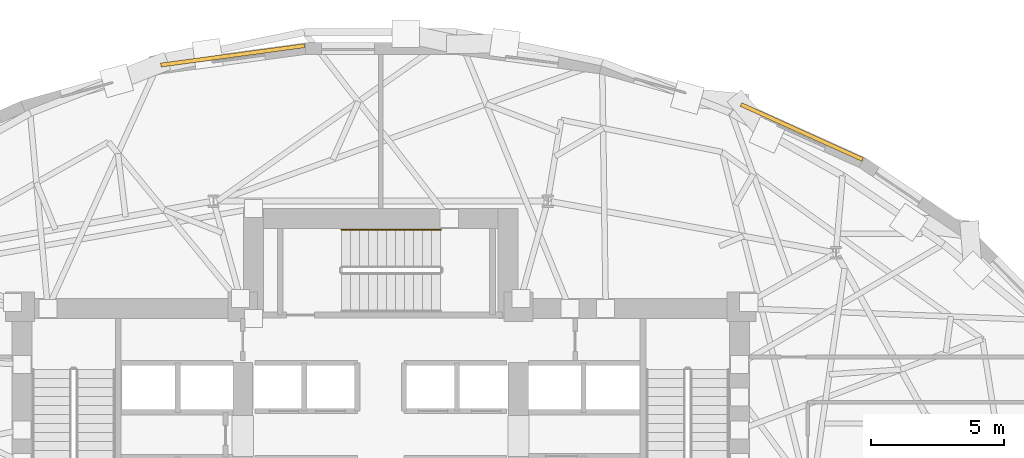
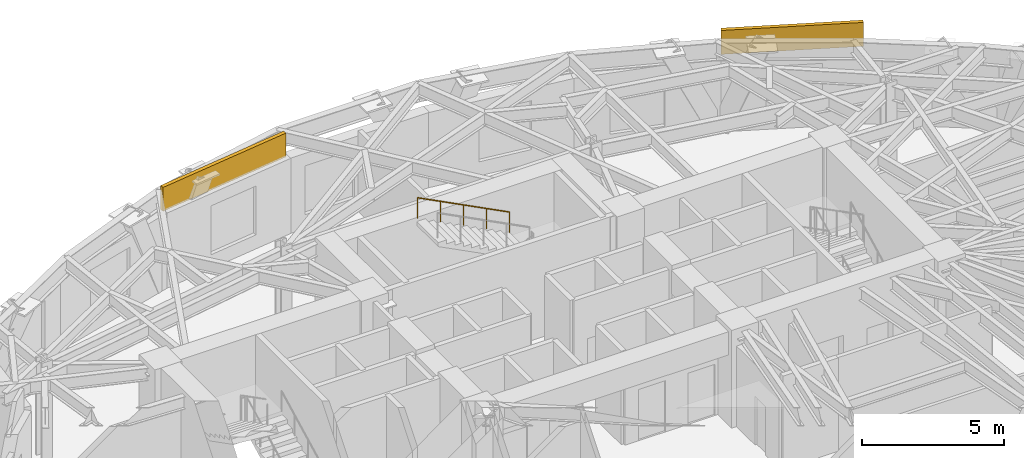
# One storey, part 20 of 20: 2 coverings, 1 railing.
"""IFC4 building model written with IfcOpenShell, lengths in metres."""

from ifc_helpers import new_model, si_unit, direction, frame, origin, origin_2d, place, context, subcontext, project, spatial, rectangle, circle, extrude, material, layer, layer_set, type_object, element, save


model = new_model("IFC4")

# Units and contexts
model_context = context("Model", 3, precision=1e-05, world=origin(), true_north=direction((0.0, 1.0)))
body_context = subcontext(model_context, "Body", "Model", "MODEL_VIEW")
ifc_project = project(units=[si_unit("LENGTHUNIT", "METRE"), si_unit("AREAUNIT", "SQUARE_METRE"), si_unit("VOLUMEUNIT", "CUBIC_METRE"), si_unit("PLANEANGLEUNIT", "RADIAN"), si_unit("MASSUNIT", "GRAM", prefix="KILO")], contexts=[model_context])

# Site, building, storey
site_placement = place(None, origin())
site = spatial("IfcSite", under=ifc_project, at=site_placement, CompositionType="ELEMENT")
building_placement = place(site_placement, origin())
building = spatial("IfcBuilding", under=site, at=building_placement, Name="Keldmark Tower", CompositionType="ELEMENT")
storey_placement = place(building_placement, frame((0.0, 0.0, 81.89990234375)))
storey = spatial("IfcBuildingStorey", under=building, at=storey_placement, Name="L21", CompositionType="ELEMENT", Elevation=81.89990234375)

# Coverings
ifc_material_1 = material(Name="Honed Kasota Buff Dolomitic Limestone", Category="masonry")
ifc_layer = layer(ifc_material_1, 0.074951171875)
ifc_layer_set = layer_set([ifc_layer], Name="Honed Kasota Buff Dolomitic Limestone")
covering_type = type_object("IfcCoveringType", Name="Kasota Buff Limestone Spandrel Cladding Band", PredefinedType="CLADDING", material=ifc_layer_set)
covering_1_placement = place(storey_placement, frame((15.8779296875, 16.035400390625, 3.15185546875), z_axis=(0.0, 0.0, 1.0), x_axis=(-0.911094181936, 0.412198243134, 0.0)))
element("IfcCovering", 1, at=covering_1_placement, inside=storey, type_object=covering_type, Name="L21 Kasota Limestone Spandrel Band 05", PredefinedType="CLADDING", context=body_context, shape_type="SweptSolid", body=[
    extrude(rectangle(XDim=5.032470703125, YDim=0.14990234375, at=origin_2d()), origin(), (0.0, 0.0, 1.0), 1.028076171875),
])
covering_2_placement = place(storey_placement, frame((-5.576904296875, 18.92431640625, 3.15185546875), z_axis=(0.0, 0.0, 1.0), x_axis=(-0.991050889278, -0.133484586607, 0.0)))
element("IfcCovering", 2, at=covering_2_placement, inside=storey, type_object=covering_type, Name="L21 Kasota Limestone Spandrel Band 09", PredefinedType="CLADDING", context=body_context, shape_type="SweptSolid", body=[
    extrude(rectangle(XDim=5.46728515625, YDim=0.14990234375, at=origin_2d()), origin(), (0.0, 0.0, 1.0), 1.028076171875),
])

# Railing
ifc_material_2 = material(Name="Stainless Steel AISI 316L", Category="steel")
railing_type = type_object("IfcRailingType", Name="Stainless Steel Stair Handrail 900 mm", PredefinedType="HANDRAIL", material=ifc_material_2)
railing_placement = place(storey_placement, frame((2.264892578125, 12.35009765625, 2.275146484375)))
element("IfcRailing", 3, at=railing_placement, inside=storey, type_object=railing_type, Name="L21 ST3 stair handrail 2", PredefinedType="HANDRAIL", context=body_context, shape_type="SweptSolid", body=[
    extrude(circle(Radius=0.02392578125, at=origin_2d()), frame((0.0, 0.0, 0.8759765625), z_axis=(-0.889130600629, 0.0, 0.457653553493), x_axis=(0.0, -1.0, 0.0)), (0.0, 0.0, 1.0), 4.206298828125),
    extrude(circle(Radius=0.02099609375, at=origin_2d()), origin(), (0.0, 0.0, 1.0), 0.851806640625),
    extrude(circle(Radius=0.02099609375, at=origin_2d()), frame((-0.93505859375, 0.0, 0.481201171875)), (0.0, 0.0, 1.0), 0.851806640625),
    extrude(circle(Radius=0.02099609375, at=origin_2d()), frame((-1.8701171875, 0.0, 0.96240234375)), (0.0, 0.0, 1.0), 0.851806640625),
    extrude(circle(Radius=0.02099609375, at=origin_2d()), frame((-2.804931640625, 0.0, 1.44384765625)), (0.0, 0.0, 1.0), 0.851806640625),
    extrude(circle(Radius=0.02099609375, at=origin_2d()), frame((-3.739990234375, 0.0, 1.925048828125)), (0.0, 0.0, 1.0), 0.851806640625),
])

save(model, "model.ifc")
